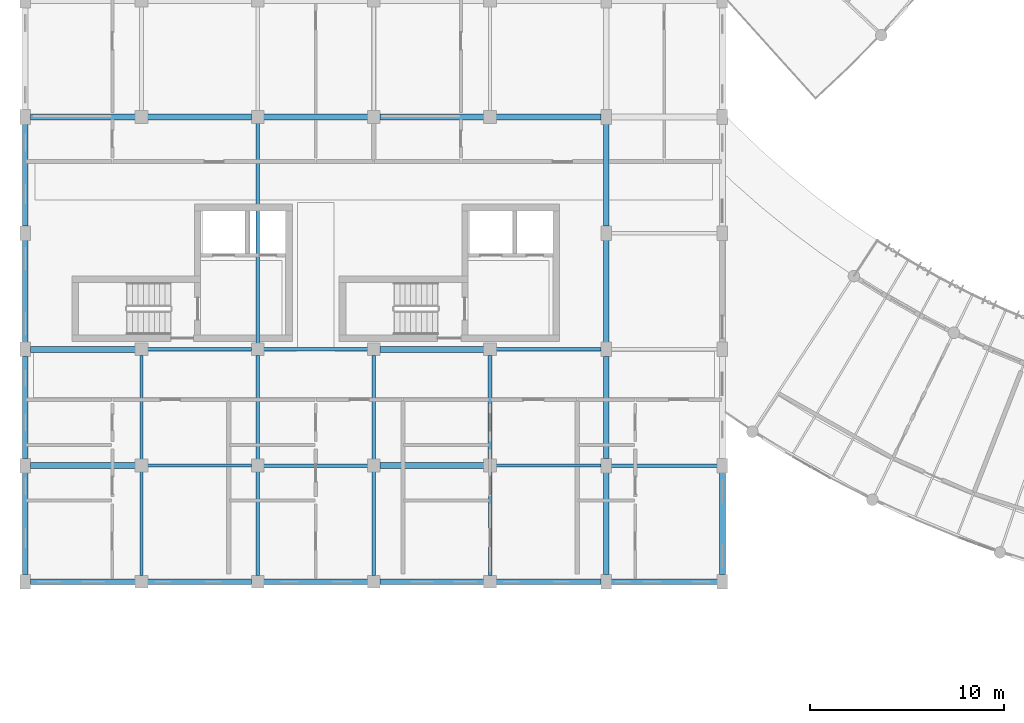
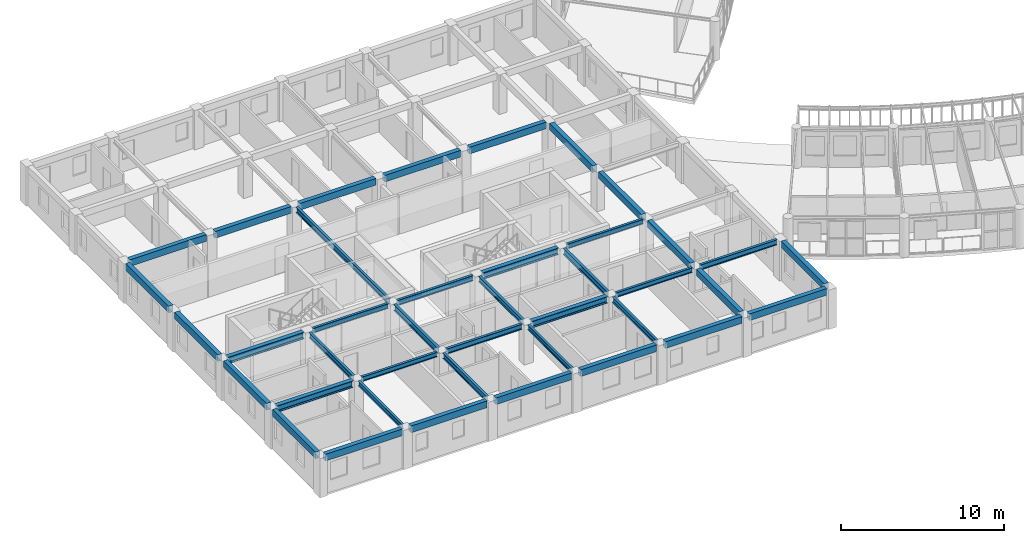
# One storey, part 3 of 100: 40 beams.
"""IFC4 building model written with IfcOpenShell, lengths in metres."""

from ifc_helpers import new_model, si_unit, direction, frame, origin, origin_2d, place, context, subcontext, project, spatial, rectangle, i_section, extrude, material, material_profile, profile_set, type_object, element, save


model = new_model("IFC4")

# Units and contexts
model_context = context("Model", 3, precision=1e-05, world=origin(), true_north=direction((0.0, 1.0)))
body_context = subcontext(model_context, "Body", "Model", "MODEL_VIEW")
ifc_project = project(units=[si_unit("LENGTHUNIT", "METRE"), si_unit("AREAUNIT", "SQUARE_METRE"), si_unit("VOLUMEUNIT", "CUBIC_METRE"), si_unit("PLANEANGLEUNIT", "RADIAN"), si_unit("MASSUNIT", "GRAM", prefix="KILO"), si_unit("POWERUNIT", "WATT"), si_unit("THERMODYNAMICTEMPERATUREUNIT", "KELVIN")], contexts=[model_context])

# Site, building, storey
site_placement = place(None, origin())
site = spatial("IfcSite", under=ifc_project, at=site_placement, CompositionType="ELEMENT")
building_placement = place(site_placement, origin())
building = spatial("IfcBuilding", under=site, at=building_placement, Name="Ruvembo Vaulted Housing Court", CompositionType="ELEMENT")
storey_placement = place(building_placement, frame((0.0, 0.0, 14.10009765625)))
storey = spatial("IfcBuildingStorey", under=building, at=storey_placement, Name="L04", CompositionType="ELEMENT", Elevation=14.10009765625)

# Beams
ifc_material_1 = material(Name="Steel S355J2", Category="steel")
ifc_material_profile_1 = material_profile(ifc_material_1, i_section(OverallWidth=0.300048828125, OverallDepth=0.5, WebThickness=0.014404296875, FlangeThickness=0.028076171875, FilletRadius=0.027099609375, at=origin_2d()), Name="HEB 320")
ifc_profile_set_1 = profile_set([ifc_material_profile_1], Name="Steel S355J2")
beam_type_1 = type_object("IfcBeamType", Name="BM-ST-HEB320", PredefinedType="BEAM", material=ifc_profile_set_1)
beam_1_placement = place(storey_placement, frame((0.260009765625, 12.0, 2.67578125), z_axis=(1.0, 0.0, 0.0), x_axis=(0.0, 1.0, 0.0)))
element("IfcBeam", 1, at=beam_1_placement, inside=storey, type_object=beam_type_1, Name="L04 Grid Beam X #2015", PredefinedType="BEAM", context=body_context, shape_type="SweptSolid", body=[
    extrude(i_section(OverallWidth=0.300048828125, OverallDepth=0.5, WebThickness=0.014404296875, FlangeThickness=0.028076171875, FilletRadius=0.027099609375, at=origin_2d()), origin(), (0.0, 0.0, 1.0), 5.429931640625),
])
beam_2_placement = place(storey_placement, frame((18.31005859375, 12.0, 2.67578125), z_axis=(1.0, 0.0, 0.0), x_axis=(0.0, 1.0, 0.0)))
element("IfcBeam", 2, at=beam_2_placement, inside=storey, type_object=beam_type_1, Name="L04 Grid Beam X #2018", PredefinedType="BEAM", context=body_context, shape_type="SweptSolid", body=[
    extrude(i_section(OverallWidth=0.300048828125, OverallDepth=0.5, WebThickness=0.014404296875, FlangeThickness=0.028076171875, FilletRadius=0.027099609375, at=origin_2d()), origin(), (0.0, 0.0, 1.0), 5.3798828125),
])
beam_3_placement = place(storey_placement, frame((0.260009765625, 18.0, 2.67578125), z_axis=(1.0, 0.0, 0.0), x_axis=(0.0, 1.0, 0.0)))
element("IfcBeam", 3, at=beam_3_placement, inside=storey, type_object=beam_type_1, Name="L04 Grid Beam X #2027", PredefinedType="BEAM", context=body_context, shape_type="SweptSolid", body=[
    extrude(i_section(OverallWidth=0.300048828125, OverallDepth=0.5, WebThickness=0.014404296875, FlangeThickness=0.028076171875, FilletRadius=0.027099609375, at=origin_2d()), origin(), (0.0, 0.0, 1.0), 5.429931640625),
])
beam_4_placement = place(storey_placement, frame((18.31005859375, 18.0, 2.67578125), z_axis=(1.0, 0.0, 0.0), x_axis=(0.0, 1.0, 0.0)))
element("IfcBeam", 4, at=beam_4_placement, inside=storey, type_object=beam_type_1, Name="L04 Grid Beam X #2030", PredefinedType="BEAM", context=body_context, shape_type="SweptSolid", body=[
    extrude(i_section(OverallWidth=0.300048828125, OverallDepth=0.5, WebThickness=0.014404296875, FlangeThickness=0.028076171875, FilletRadius=0.027099609375, at=origin_2d()), origin(), (0.0, 0.0, 1.0), 5.3798828125),
])
ifc_material_profile_2 = material_profile(ifc_material_1, i_section(OverallWidth=0.169921875, OverallDepth=0.360107421875, WebThickness=0.008056640625, FlangeThickness=0.0126953125, FilletRadius=0.01806640625, at=origin_2d()), Name="IPE 360")
ifc_profile_set_2 = profile_set([ifc_material_profile_2], Name="Steel S355J2")
beam_type_2 = type_object("IfcBeamType", Name="BM-ST-IPE360", PredefinedType="BEAM", material=ifc_profile_set_2)
beam_5_placement = place(storey_placement, frame((6.31005859375, 12.0, 2.745849609375), z_axis=(1.0, 0.0, 0.0), x_axis=(0.0, 1.0, 0.0)))
element("IfcBeam", 5, at=beam_5_placement, inside=storey, type_object=beam_type_2, Name="L04 Grid Beam X #2016", PredefinedType="BEAM", context=body_context, shape_type="SweptSolid", body=[
    extrude(i_section(OverallWidth=0.169921875, OverallDepth=0.360107421875, WebThickness=0.008056640625, FlangeThickness=0.0126953125, FilletRadius=0.01806640625, at=origin_2d()), origin(), (0.0, 0.0, 1.0), 5.3798828125),
])
beam_6_placement = place(storey_placement, frame((24.31005859375, 12.0, 2.745849609375), z_axis=(1.0, 0.0, 0.0), x_axis=(0.0, 1.0, 0.0)))
element("IfcBeam", 6, at=beam_6_placement, inside=storey, type_object=beam_type_2, Name="L04 Grid Beam X #2019", PredefinedType="BEAM", context=body_context, shape_type="SweptSolid", body=[
    extrude(i_section(OverallWidth=0.169921875, OverallDepth=0.360107421875, WebThickness=0.008056640625, FlangeThickness=0.0126953125, FilletRadius=0.01806640625, at=origin_2d()), origin(), (0.0, 0.0, 1.0), 5.429931640625),
])
beam_7_placement = place(storey_placement, frame((6.31005859375, 18.0, 2.745849609375), z_axis=(1.0, 0.0, 0.0), x_axis=(0.0, 1.0, 0.0)))
element("IfcBeam", 7, at=beam_7_placement, inside=storey, type_object=beam_type_2, Name="L04 Grid Beam X #2028", PredefinedType="BEAM", context=body_context, shape_type="SweptSolid", body=[
    extrude(i_section(OverallWidth=0.169921875, OverallDepth=0.360107421875, WebThickness=0.008056640625, FlangeThickness=0.0126953125, FilletRadius=0.01806640625, at=origin_2d()), origin(), (0.0, 0.0, 1.0), 5.3798828125),
])
beam_8_placement = place(storey_placement, frame((24.31005859375, 18.0, 2.745849609375), z_axis=(1.0, 0.0, 0.0), x_axis=(0.0, 1.0, 0.0)))
element("IfcBeam", 8, at=beam_8_placement, inside=storey, type_object=beam_type_2, Name="L04 Grid Beam X #2031", PredefinedType="BEAM", context=body_context, shape_type="SweptSolid", body=[
    extrude(i_section(OverallWidth=0.169921875, OverallDepth=0.360107421875, WebThickness=0.008056640625, FlangeThickness=0.0126953125, FilletRadius=0.01806640625, at=origin_2d()), origin(), (0.0, 0.0, 1.0), 5.429931640625),
])
for number, where, z_axis, x_axis, name in (
    (9, (6.0, 6.31005859375, 2.745849609375), (0.0, 1.0, 0.0), (-1.0, 0.0, 0.0), "L04 Grid Beam Y #2151"),
    (10, (18.0, 6.31005859375, 2.745849609375), (0.0, 1.0, 0.0), (-1.0, 0.0, 0.0), "L04 Grid Beam Y #2160"),
):
    element("IfcBeam", number, at=place(storey_placement, frame(where, z_axis=z_axis, x_axis=x_axis)), inside=storey, type_object=beam_type_2, Name=name, PredefinedType="BEAM", context=body_context, shape_type="SweptSolid", body=[
        extrude(i_section(OverallWidth=0.169921875, OverallDepth=0.360107421875, WebThickness=0.008056640625, FlangeThickness=0.0126953125, FilletRadius=0.01806640625, at=origin_2d()), origin(), (0.0, 0.0, 1.0), 5.3798828125),
    ])
ifc_material_profile_3 = material_profile(ifc_material_1, i_section(OverallWidth=0.179931640625, OverallDepth=0.39990234375, WebThickness=0.008544921875, FlangeThickness=0.013427734375, FilletRadius=0.02099609375, at=origin_2d()), Name="IPE 400")
ifc_profile_set_3 = profile_set([ifc_material_profile_3], Name="Steel S355J2")
beam_type_3 = type_object("IfcBeamType", Name="BM-ST-IPE400", PredefinedType="BEAM", material=ifc_profile_set_3)
beam_9_placement = place(storey_placement, frame((12.31005859375, 12.0, 2.725830078125), z_axis=(1.0, 0.0, 0.0), x_axis=(0.0, 1.0, 0.0)))
element("IfcBeam", 11, at=beam_9_placement, inside=storey, type_object=beam_type_3, Name="L04 Grid Beam X #2017", PredefinedType="BEAM", context=body_context, shape_type="SweptSolid", body=[
    extrude(i_section(OverallWidth=0.179931640625, OverallDepth=0.39990234375, WebThickness=0.008544921875, FlangeThickness=0.013427734375, FilletRadius=0.02099609375, at=origin_2d()), origin(), (0.0, 0.0, 1.0), 5.3798828125),
])
beam_10_placement = place(storey_placement, frame((30.260009765625, 12.0, 2.725830078125), z_axis=(1.0, 0.0, 0.0), x_axis=(0.0, 1.0, 0.0)))
element("IfcBeam", 12, at=beam_10_placement, inside=storey, type_object=beam_type_3, Name="L04 Grid Beam X #2020", PredefinedType="BEAM", context=body_context, shape_type="SweptSolid", body=[
    extrude(i_section(OverallWidth=0.179931640625, OverallDepth=0.39990234375, WebThickness=0.008544921875, FlangeThickness=0.013427734375, FilletRadius=0.02099609375, at=origin_2d()), origin(), (0.0, 0.0, 1.0), 5.47998046875),
])
for number, where, z_axis, x_axis, name in (
    (13, (12.31005859375, 18.0, 2.725830078125), (1.0, 0.0, 0.0), (0.0, 1.0, 0.0), "L04 Grid Beam X #2029"),
    (14, (6.0, 12.31005859375, 2.725830078125), (0.0, 1.0, 0.0), (-1.0, 0.0, 0.0), "L04 Grid Beam Y #2152"),
    (15, (12.0, 6.31005859375, 2.725830078125), (0.0, 1.0, 0.0), (-1.0, 0.0, 0.0), "L04 Grid Beam Y #2155"),
):
    element("IfcBeam", number, at=place(storey_placement, frame(where, z_axis=z_axis, x_axis=x_axis)), inside=storey, type_object=beam_type_3, Name=name, PredefinedType="BEAM", context=body_context, shape_type="SweptSolid", body=[
        extrude(i_section(OverallWidth=0.179931640625, OverallDepth=0.39990234375, WebThickness=0.008544921875, FlangeThickness=0.013427734375, FilletRadius=0.02099609375, at=origin_2d()), origin(), (0.0, 0.0, 1.0), 5.3798828125),
    ])
beam_11_placement = place(storey_placement, frame((12.0, 18.31005859375, 2.725830078125), z_axis=(0.0, 1.0, 0.0), x_axis=(-1.0, 0.0, 0.0)))
element("IfcBeam", 16, at=beam_11_placement, inside=storey, type_object=beam_type_3, Name="L04 Grid Beam Y #2157", PredefinedType="BEAM", context=body_context, shape_type="SweptSolid", body=[
    extrude(i_section(OverallWidth=0.179931640625, OverallDepth=0.39990234375, WebThickness=0.008544921875, FlangeThickness=0.013427734375, FilletRadius=0.02099609375, at=origin_2d()), origin(), (0.0, 0.0, 1.0), 11.3798828125),
])
for number, where, z_axis, x_axis, name in (
    (17, (18.0, 12.31005859375, 2.725830078125), (0.0, 1.0, 0.0), (-1.0, 0.0, 0.0), "L04 Grid Beam Y #2161"),
    (18, (24.0, 6.31005859375, 2.725830078125), (0.0, 1.0, 0.0), (-1.0, 0.0, 0.0), "L04 Grid Beam Y #2164"),
):
    element("IfcBeam", number, at=place(storey_placement, frame(where, z_axis=z_axis, x_axis=x_axis)), inside=storey, type_object=beam_type_3, Name=name, PredefinedType="BEAM", context=body_context, shape_type="SweptSolid", body=[
        extrude(i_section(OverallWidth=0.179931640625, OverallDepth=0.39990234375, WebThickness=0.008544921875, FlangeThickness=0.013427734375, FilletRadius=0.02099609375, at=origin_2d()), origin(), (0.0, 0.0, 1.0), 5.3798828125),
    ])
ifc_material_profile_4 = material_profile(ifc_material_1, i_section(OverallWidth=0.18994140625, OverallDepth=0.449951171875, WebThickness=0.009521484375, FlangeThickness=0.0146484375, FilletRadius=0.02099609375, at=origin_2d()), Name="IPE 450")
ifc_profile_set_4 = profile_set([ifc_material_profile_4], Name="Steel S355J2")
beam_type_4 = type_object("IfcBeamType", Name="BM-ST-IPE450", PredefinedType="BEAM", material=ifc_profile_set_4)
for number, where, z_axis, x_axis, name in (
    (19, (12.0, 12.31005859375, 2.700927734375), (0.0, 1.0, 0.0), (-1.0, 0.0, 0.0), "L04 Grid Beam Y #2156"),
    (20, (24.0, 12.31005859375, 2.700927734375), (0.0, 1.0, 0.0), (-1.0, 0.0, 0.0), "L04 Grid Beam Y #2165"),
):
    element("IfcBeam", number, at=place(storey_placement, frame(where, z_axis=z_axis, x_axis=x_axis)), inside=storey, type_object=beam_type_4, Name=name, PredefinedType="BEAM", context=body_context, shape_type="SweptSolid", body=[
        extrude(i_section(OverallWidth=0.18994140625, OverallDepth=0.449951171875, WebThickness=0.009521484375, FlangeThickness=0.0146484375, FilletRadius=0.02099609375, at=origin_2d()), origin(), (0.0, 0.0, 1.0), 5.3798828125),
    ])
ifc_material_2 = material(Name="Concrete C35/45", Category="concrete")
ifc_material_profile_5 = material_profile(ifc_material_2, rectangle(XDim=0.300048828125, YDim=0.5, at=origin_2d()), Name="RC 300x500")
ifc_profile_set_5 = profile_set([ifc_material_profile_5], Name="Concrete C35/45")
beam_type_5 = type_object("IfcBeamType", Name="SP-RC-300x500", PredefinedType="SPANDREL", material=ifc_profile_set_5)
beam_12_placement = place(storey_placement, frame((0.260009765625, 6.0, 2.699951171875), z_axis=(1.0, 0.0, 0.0), x_axis=(0.0, 1.0, 0.0)))
element("IfcBeam", 21, at=beam_12_placement, inside=storey, type_object=beam_type_5, Name="L04 Grid Beam X #2003", PredefinedType="SPANDREL", context=body_context, shape_type="SweptSolid", body=[
    extrude(rectangle(XDim=0.300048828125, YDim=0.5, at=origin_2d()), origin(), (0.0, 0.0, 1.0), 5.429931640625),
])
for number, where, z_axis, x_axis, name in (
    (22, (6.31005859375, 6.0, 2.699951171875), (1.0, 0.0, 0.0), (0.0, 1.0, 0.0), "L04 Grid Beam X #2004"),
    (23, (12.31005859375, 6.0, 2.699951171875), (1.0, 0.0, 0.0), (0.0, 1.0, 0.0), "L04 Grid Beam X #2005"),
    (24, (18.31005859375, 6.0, 2.699951171875), (1.0, 0.0, 0.0), (0.0, 1.0, 0.0), "L04 Grid Beam X #2006"),
):
    element("IfcBeam", number, at=place(storey_placement, frame(where, z_axis=z_axis, x_axis=x_axis)), inside=storey, type_object=beam_type_5, Name=name, PredefinedType="SPANDREL", context=body_context, shape_type="SweptSolid", body=[
        extrude(rectangle(XDim=0.300048828125, YDim=0.5, at=origin_2d()), origin(), (0.0, 0.0, 1.0), 5.3798828125),
    ])
beam_13_placement = place(storey_placement, frame((24.31005859375, 6.0, 2.699951171875), z_axis=(1.0, 0.0, 0.0), x_axis=(0.0, 1.0, 0.0)))
element("IfcBeam", 25, at=beam_13_placement, inside=storey, type_object=beam_type_5, Name="L04 Grid Beam X #2007", PredefinedType="SPANDREL", context=body_context, shape_type="SweptSolid", body=[
    extrude(rectangle(XDim=0.300048828125, YDim=0.5, at=origin_2d()), origin(), (0.0, 0.0, 1.0), 5.429931640625),
])
beam_14_placement = place(storey_placement, frame((30.260009765625, 6.0, 2.699951171875), z_axis=(1.0, 0.0, 0.0), x_axis=(0.0, 1.0, 0.0)))
element("IfcBeam", 26, at=beam_14_placement, inside=storey, type_object=beam_type_5, Name="L04 Grid Beam X #2008", PredefinedType="SPANDREL", context=body_context, shape_type="SweptSolid", body=[
    extrude(rectangle(XDim=0.300048828125, YDim=0.5, at=origin_2d()), origin(), (0.0, 0.0, 1.0), 5.47998046875),
])
beam_15_placement = place(storey_placement, frame((0.260009765625, 30.0, 2.699951171875), z_axis=(1.0, 0.0, 0.0), x_axis=(0.0, 1.0, 0.0)))
element("IfcBeam", 27, at=beam_15_placement, inside=storey, type_object=beam_type_5, Name="L04 Grid Beam X #2041", PredefinedType="SPANDREL", context=body_context, shape_type="SweptSolid", body=[
    extrude(rectangle(XDim=0.300048828125, YDim=0.5, at=origin_2d()), origin(), (0.0, 0.0, 1.0), 5.429931640625),
])
for number, where, z_axis, x_axis, name in (
    (28, (6.31005859375, 30.0, 2.699951171875), (1.0, 0.0, 0.0), (0.0, 1.0, 0.0), "L04 Grid Beam X #2042"),
    (29, (12.31005859375, 30.0, 2.699951171875), (1.0, 0.0, 0.0), (0.0, 1.0, 0.0), "L04 Grid Beam X #2043"),
    (30, (18.31005859375, 30.0, 2.699951171875), (1.0, 0.0, 0.0), (0.0, 1.0, 0.0), "L04 Grid Beam X #2044"),
):
    element("IfcBeam", number, at=place(storey_placement, frame(where, z_axis=z_axis, x_axis=x_axis)), inside=storey, type_object=beam_type_5, Name=name, PredefinedType="SPANDREL", context=body_context, shape_type="SweptSolid", body=[
        extrude(rectangle(XDim=0.300048828125, YDim=0.5, at=origin_2d()), origin(), (0.0, 0.0, 1.0), 5.3798828125),
    ])
beam_16_placement = place(storey_placement, frame((24.31005859375, 30.0, 2.699951171875), z_axis=(1.0, 0.0, 0.0), x_axis=(0.0, 1.0, 0.0)))
element("IfcBeam", 31, at=beam_16_placement, inside=storey, type_object=beam_type_5, Name="L04 Grid Beam X #2045", PredefinedType="SPANDREL", context=body_context, shape_type="SweptSolid", body=[
    extrude(rectangle(XDim=0.300048828125, YDim=0.5, at=origin_2d()), origin(), (0.0, 0.0, 1.0), 5.429931640625),
])
for number, where, z_axis, x_axis, name in (
    (32, (0.0, 6.360107421875, 2.699951171875), (0.0, 1.0, 0.0), (-1.0, 0.0, 0.0), "L04 Grid Beam Y #2145"),
    (33, (0.0, 12.360107421875, 2.699951171875), (0.0, 1.0, 0.0), (-1.0, 0.0, 0.0), "L04 Grid Beam Y #2146"),
    (34, (0.0, 18.360107421875, 2.699951171875), (0.0, 1.0, 0.0), (-1.0, 0.0, 0.0), "L04 Grid Beam Y #2147"),
    (35, (0.0, 24.360107421875, 2.699951171875), (0.0, 1.0, 0.0), (-1.0, 0.0, 0.0), "L04 Grid Beam Y #2148"),
    (36, (30.0, 6.360107421875, 2.699951171875), (0.0, 1.0, 0.0), (-1.0, 0.0, 0.0), "L04 Grid Beam Y #2168"),
    (37, (30.0, 12.360107421875, 2.699951171875), (0.0, 1.0, 0.0), (-1.0, 0.0, 0.0), "L04 Grid Beam Y #2169"),
    (38, (30.0, 18.360107421875, 2.699951171875), (0.0, 1.0, 0.0), (-1.0, 0.0, 0.0), "L04 Grid Beam Y #2170"),
    (39, (30.0, 24.360107421875, 2.699951171875), (0.0, 1.0, 0.0), (-1.0, 0.0, 0.0), "L04 Grid Beam Y #2171"),
    (40, (36.0, 6.360107421875, 2.699951171875), (0.0, 1.0, 0.0), (-1.0, 0.0, 0.0), "L04 Grid Beam Y #2174"),
):
    element("IfcBeam", number, at=place(storey_placement, frame(where, z_axis=z_axis, x_axis=x_axis)), inside=storey, type_object=beam_type_5, Name=name, PredefinedType="SPANDREL", context=body_context, shape_type="SweptSolid", body=[
        extrude(rectangle(XDim=0.300048828125, YDim=0.5, at=origin_2d()), origin(), (0.0, 0.0, 1.0), 5.27978515625),
    ])

save(model, "model.ifc")
